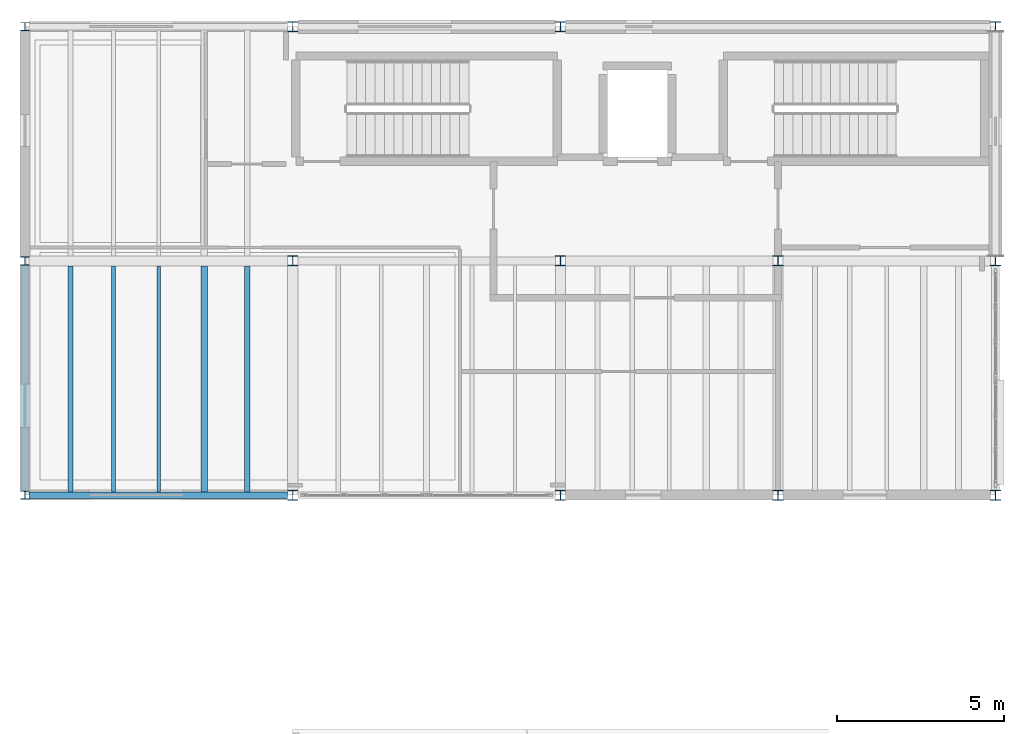
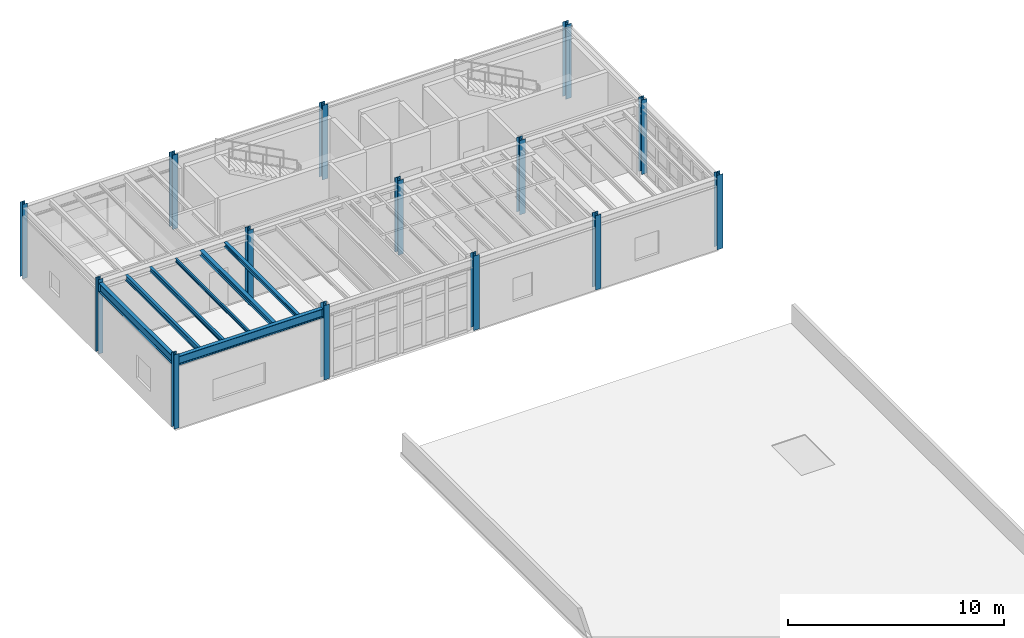
# One storey, part 1 of 11: 14 columns, 7 beams.
"""IFC4 building model written with IfcOpenShell, lengths in metres."""

from ifc_helpers import new_model, si_unit, direction, frame, origin, origin_2d, place, context, subcontext, project, spatial, i_section, extrude, material, material_profile, profile_set, type_object, element, save


model = new_model("IFC4")

# Units and contexts
model_context = context("Model", 3, precision=1e-05, world=origin(), true_north=direction((0.0, 1.0)))
body_context = subcontext(model_context, "Body", "Model", "MODEL_VIEW")
ifc_project = project(units=[si_unit("LENGTHUNIT", "METRE"), si_unit("AREAUNIT", "SQUARE_METRE"), si_unit("VOLUMEUNIT", "CUBIC_METRE"), si_unit("PLANEANGLEUNIT", "RADIAN"), si_unit("MASSUNIT", "GRAM", prefix="KILO"), si_unit("THERMODYNAMICTEMPERATUREUNIT", "KELVIN"), si_unit("POWERUNIT", "WATT")], contexts=[model_context])

# Site, building, storey
site_placement = place(None, origin())
site = spatial("IfcSite", under=ifc_project, at=site_placement, CompositionType="ELEMENT")
building_placement = place(site_placement, origin())
building = spatial("IfcBuilding", under=site, at=building_placement, Name="Zhenchuan Central Fire Station", CompositionType="ELEMENT")
storey_placement = place(building_placement, frame((0.0, 0.0, 18.449951171875)))
storey = spatial("IfcBuildingStorey", under=building, at=storey_placement, Name="L05", CompositionType="ELEMENT", Elevation=18.449951171875)

# Columns
ifc_material = material(Name="Steel Q355B", Category="steel")
ifc_material_profile_1 = material_profile(ifc_material, i_section(OverallWidth=0.25, OverallDepth=0.25, WebThickness=0.009033203125, FlangeThickness=0.013916015625, FilletRadius=0.01611328125, at=origin_2d()), Name="HW 250x250")
ifc_profile_set_1 = profile_set([ifc_material_profile_1], Name="Steel Q355B")
column_type_1 = type_object("IfcColumnType", Name="COL-HW250", PredefinedType="COLUMN", material=ifc_profile_set_1)
for number, where, z_axis, x_axis, name in (
    (1, (132.0, 42.5, 0.0), (0.0, 0.0, 1.0), (1.0, 0.0, 0.0), "L05 Column 001"),
    (2, (132.0, 49.5, 0.0), (0.0, 0.0, 1.0), (1.0, 0.0, 0.0), "L05 Column 002"),
):
    element("IfcColumn", number, at=place(storey_placement, frame(where, z_axis=z_axis, x_axis=x_axis)), inside=storey, type_object=column_type_1, Name=name, PredefinedType="COLUMN", context=body_context, shape_type="SweptSolid", body=[
        extrude(i_section(OverallWidth=0.25, OverallDepth=0.25, WebThickness=0.009033203125, FlangeThickness=0.013916015625, FilletRadius=0.01611328125, at=origin_2d()), origin(), (0.0, 0.0, 1.0), 4.199951171875),
    ])
ifc_material_profile_2 = material_profile(ifc_material, i_section(OverallWidth=0.25, OverallDepth=0.25, WebThickness=0.009033203125, FlangeThickness=0.013916015625, FilletRadius=0.01611328125, at=origin_2d()), Name="HW 250x250")
ifc_profile_set_2 = profile_set([ifc_material_profile_2], Name="Steel Q355B")
column_type_2 = type_object("IfcColumnType", Name="COL-HW250-EXT", PredefinedType="COLUMN", material=ifc_profile_set_2)
column_placement = place(storey_placement, frame((132.0, 56.5, 0.0), z_axis=(0.0, 0.0, 1.0), x_axis=(1.0, 0.0, 0.0)))
element("IfcColumn", 3, at=column_placement, inside=storey, type_object=column_type_2, Name="L05 Column 003", PredefinedType="COLUMN", context=body_context, shape_type="SweptSolid", body=[
    extrude(i_section(OverallWidth=0.25, OverallDepth=0.25, WebThickness=0.009033203125, FlangeThickness=0.013916015625, FilletRadius=0.01611328125, at=origin_2d()), origin(), (0.0, 0.0, 1.0), 4.199951171875),
])
ifc_material_profile_3 = material_profile(ifc_material, i_section(OverallWidth=0.300048828125, OverallDepth=0.300048828125, WebThickness=0.010009765625, FlangeThickness=0.014892578125, FilletRadius=0.01806640625, at=origin_2d()), Name="HW 300x300")
ifc_profile_set_3 = profile_set([ifc_material_profile_3], Name="Steel Q355B")
column_type_3 = type_object("IfcColumnType", Name="COL-HW300", PredefinedType="COLUMN", material=ifc_profile_set_3)
for number, where, z_axis, x_axis, name in (
    (4, (140.0, 56.5, 0.0), (0.0, 0.0, 1.0), (1.0, 0.0, 0.0), "L05 Column 006"),
    (5, (148.0, 56.5, 0.0), (0.0, 0.0, 1.0), (1.0, 0.0, 0.0), "L05 Column 009"),
    (6, (161.0, 42.5, 0.0), (0.0, 0.0, 1.0), (1.0, 0.0, 0.0), "L05 Column 012"),
    (7, (161.0, 49.5, 0.0), (0.0, 0.0, 1.0), (1.0, 0.0, 0.0), "L05 Column 013"),
    (8, (161.0, 56.5, 0.0), (0.0, 0.0, 1.0), (1.0, 0.0, 0.0), "L05 Column 014"),
):
    element("IfcColumn", number, at=place(storey_placement, frame(where, z_axis=z_axis, x_axis=x_axis)), inside=storey, type_object=column_type_3, Name=name, PredefinedType="COLUMN", context=body_context, shape_type="SweptSolid", body=[
        extrude(i_section(OverallWidth=0.300048828125, OverallDepth=0.300048828125, WebThickness=0.010009765625, FlangeThickness=0.014892578125, FilletRadius=0.01806640625, at=origin_2d()), origin(), (0.0, 0.0, 1.0), 4.199951171875),
    ])
ifc_material_profile_4 = material_profile(ifc_material, i_section(OverallWidth=0.300048828125, OverallDepth=0.300048828125, WebThickness=0.010009765625, FlangeThickness=0.014892578125, FilletRadius=0.01806640625, at=origin_2d()), Name="HW 300x300")
ifc_profile_set_4 = profile_set([ifc_material_profile_4], Name="Steel Q355B")
column_type_4 = type_object("IfcColumnType", Name="COL-HW300-INT", PredefinedType="COLUMN", material=ifc_profile_set_4)
for number, where, z_axis, x_axis, name in (
    (9, (140.0, 42.5, 0.0), (0.0, 0.0, 1.0), (1.0, 0.0, 0.0), "L05 Column 004"),
    (10, (140.0, 49.5, 0.0), (0.0, 0.0, 1.0), (1.0, 0.0, 0.0), "L05 Column 005"),
    (11, (148.0, 42.5, 0.0), (0.0, 0.0, 1.0), (1.0, 0.0, 0.0), "L05 Column 007"),
    (12, (148.0, 49.5, 0.0), (0.0, 0.0, 1.0), (1.0, 0.0, 0.0), "L05 Column 008"),
    (13, (154.5, 42.5, 0.0), (0.0, 0.0, 1.0), (1.0, 0.0, 0.0), "L05 Column 010"),
    (14, (154.5, 49.5, 0.0), (0.0, 0.0, 1.0), (1.0, 0.0, 0.0), "L05 Column 011"),
):
    element("IfcColumn", number, at=place(storey_placement, frame(where, z_axis=z_axis, x_axis=x_axis)), inside=storey, type_object=column_type_4, Name=name, PredefinedType="COLUMN", context=body_context, shape_type="SweptSolid", body=[
        extrude(i_section(OverallWidth=0.300048828125, OverallDepth=0.300048828125, WebThickness=0.010009765625, FlangeThickness=0.014892578125, FilletRadius=0.01806640625, at=origin_2d()), origin(), (0.0, 0.0, 1.0), 4.199951171875),
    ])

# Beams
ifc_material_profile_5 = material_profile(ifc_material, i_section(OverallWidth=0.199951171875, OverallDepth=0.5, WebThickness=0.010009765625, FlangeThickness=0.01611328125, FilletRadius=0.02001953125, at=origin_2d()), Name="HN 500x200")
ifc_profile_set_5 = profile_set([ifc_material_profile_5], Name="Steel Q355B")
beam_type_1 = type_object("IfcBeamType", Name="BM-HN500-INT", PredefinedType="BEAM", material=ifc_profile_set_5)
beam_1_placement = place(storey_placement, frame((132.125, 42.5, 3.75), z_axis=(1.0, 0.0, 0.0), x_axis=(0.0, 1.0, 0.0)))
element("IfcBeam", 15, at=beam_1_placement, inside=storey, type_object=beam_type_1, Name="L06 Girder EW 0488", PredefinedType="BEAM", context=body_context, shape_type="SweptSolid", body=[
    extrude(i_section(OverallWidth=0.199951171875, OverallDepth=0.5, WebThickness=0.010009765625, FlangeThickness=0.01611328125, FilletRadius=0.02001953125, at=origin_2d()), origin(), (0.0, 0.0, 1.0), 7.72509765625),
])
beam_2_placement = place(storey_placement, frame((132.0, 42.625, 3.75), z_axis=(0.0, 1.0, 0.0), x_axis=(-1.0, 0.0, 0.0)))
element("IfcBeam", 16, at=beam_2_placement, inside=storey, type_object=beam_type_1, Name="L06 Girder NS 0499", PredefinedType="BEAM", context=body_context, shape_type="SweptSolid", body=[
    extrude(i_section(OverallWidth=0.199951171875, OverallDepth=0.5, WebThickness=0.010009765625, FlangeThickness=0.01611328125, FilletRadius=0.02001953125, at=origin_2d()), origin(), (0.0, 0.0, 1.0), 6.75),
])
ifc_material_profile_6 = material_profile(ifc_material, i_section(OverallWidth=0.175048828125, OverallDepth=0.243896484375, WebThickness=0.007080078125, FlangeThickness=0.010986328125, FilletRadius=0.012939453125, at=origin_2d()), Name="HM 244x175")
ifc_profile_set_6 = profile_set([ifc_material_profile_6], Name="Steel Q355B")
beam_type_2 = type_object("IfcBeamType", Name="JS-HM244", PredefinedType="JOIST", material=ifc_profile_set_6)
beam_3_placement = place(storey_placement, frame((138.639892578125, 42.596923828125, 3.8779296875), z_axis=(0.0, 1.0, 0.0), x_axis=(-1.0, 0.0, 0.0)))
element("IfcBeam", 17, at=beam_3_placement, inside=storey, type_object=beam_type_2, Name="L06 Secondary Joist 0795", PredefinedType="JOIST", context=body_context, shape_type="SweptSolid", body=[
    extrude(i_section(OverallWidth=0.175048828125, OverallDepth=0.243896484375, WebThickness=0.007080078125, FlangeThickness=0.010986328125, FilletRadius=0.012939453125, at=origin_2d()), origin(), (0.0, 0.0, 1.0), 6.756103515625),
])
ifc_material_profile_7 = material_profile(ifc_material, i_section(OverallWidth=0.199951171875, OverallDepth=0.2939453125, WebThickness=0.008056640625, FlangeThickness=0.011962890625, FilletRadius=0.01611328125, at=origin_2d()), Name="HM 294x200")
ifc_profile_set_7 = profile_set([ifc_material_profile_7], Name="Steel Q355B")
beam_type_3 = type_object("IfcBeamType", Name="JS-HM294", PredefinedType="JOIST", material=ifc_profile_set_7)
beam_4_placement = place(storey_placement, frame((137.360107421875, 42.596923828125, 3.85302734375), z_axis=(0.0, 1.0, 0.0), x_axis=(-1.0, 0.0, 0.0)))
element("IfcBeam", 18, at=beam_4_placement, inside=storey, type_object=beam_type_3, Name="L06 Secondary Joist 0794", PredefinedType="JOIST", context=body_context, shape_type="SweptSolid", body=[
    extrude(i_section(OverallWidth=0.199951171875, OverallDepth=0.2939453125, WebThickness=0.008056640625, FlangeThickness=0.011962890625, FilletRadius=0.01611328125, at=origin_2d()), origin(), (0.0, 0.0, 1.0), 6.756103515625),
])
ifc_material_profile_8 = material_profile(ifc_material, i_section(OverallWidth=0.10009765625, OverallDepth=0.199951171875, WebThickness=0.005615234375, FlangeThickness=0.008056640625, FilletRadius=0.010986328125, at=origin_2d()), Name="HN 200x100")
ifc_profile_set_8 = profile_set([ifc_material_profile_8], Name="Steel Q355B")
beam_type_4 = type_object("IfcBeamType", Name="JS-HN200", PredefinedType="JOIST", material=ifc_profile_set_8)
beam_5_placement = place(storey_placement, frame((136.0, 42.596923828125, 3.900146484375), z_axis=(0.0, 1.0, 0.0), x_axis=(-1.0, 0.0, 0.0)))
element("IfcBeam", 19, at=beam_5_placement, inside=storey, type_object=beam_type_4, Name="L06 Secondary Joist 0793", PredefinedType="JOIST", context=body_context, shape_type="SweptSolid", body=[
    extrude(i_section(OverallWidth=0.10009765625, OverallDepth=0.199951171875, WebThickness=0.005615234375, FlangeThickness=0.008056640625, FilletRadius=0.010986328125, at=origin_2d()), origin(), (0.0, 0.0, 1.0), 6.756103515625),
])
ifc_material_profile_9 = material_profile(ifc_material, i_section(OverallWidth=0.125, OverallDepth=0.25, WebThickness=0.006103515625, FlangeThickness=0.009033203125, FilletRadius=0.011962890625, at=origin_2d()), Name="HN 250x125")
ifc_profile_set_9 = profile_set([ifc_material_profile_9], Name="Steel Q355B")
beam_type_5 = type_object("IfcBeamType", Name="JS-HN250", PredefinedType="JOIST", material=ifc_profile_set_9)
beam_6_placement = place(storey_placement, frame((134.639892578125, 42.596923828125, 3.875), z_axis=(0.0, 1.0, 0.0), x_axis=(-1.0, 0.0, 0.0)))
element("IfcBeam", 20, at=beam_6_placement, inside=storey, type_object=beam_type_5, Name="L06 Secondary Joist 0792", PredefinedType="JOIST", context=body_context, shape_type="SweptSolid", body=[
    extrude(i_section(OverallWidth=0.125, OverallDepth=0.25, WebThickness=0.006103515625, FlangeThickness=0.009033203125, FilletRadius=0.011962890625, at=origin_2d()), origin(), (0.0, 0.0, 1.0), 6.756103515625),
])
ifc_material_profile_10 = material_profile(ifc_material, i_section(OverallWidth=0.14990234375, OverallDepth=0.300048828125, WebThickness=0.006591796875, FlangeThickness=0.009033203125, FilletRadius=0.012939453125, at=origin_2d()), Name="HN 300x150")
ifc_profile_set_10 = profile_set([ifc_material_profile_10], Name="Steel Q355B")
beam_type_6 = type_object("IfcBeamType", Name="JS-HN300", PredefinedType="JOIST", material=ifc_profile_set_10)
beam_7_placement = place(storey_placement, frame((133.360107421875, 42.596923828125, 3.85009765625), z_axis=(0.0, 1.0, 0.0), x_axis=(-1.0, 0.0, 0.0)))
element("IfcBeam", 21, at=beam_7_placement, inside=storey, type_object=beam_type_6, Name="L06 Secondary Joist 0791", PredefinedType="JOIST", context=body_context, shape_type="SweptSolid", body=[
    extrude(i_section(OverallWidth=0.14990234375, OverallDepth=0.300048828125, WebThickness=0.006591796875, FlangeThickness=0.009033203125, FilletRadius=0.012939453125, at=origin_2d()), origin(), (0.0, 0.0, 1.0), 6.756103515625),
])

save(model, "model.ifc")
